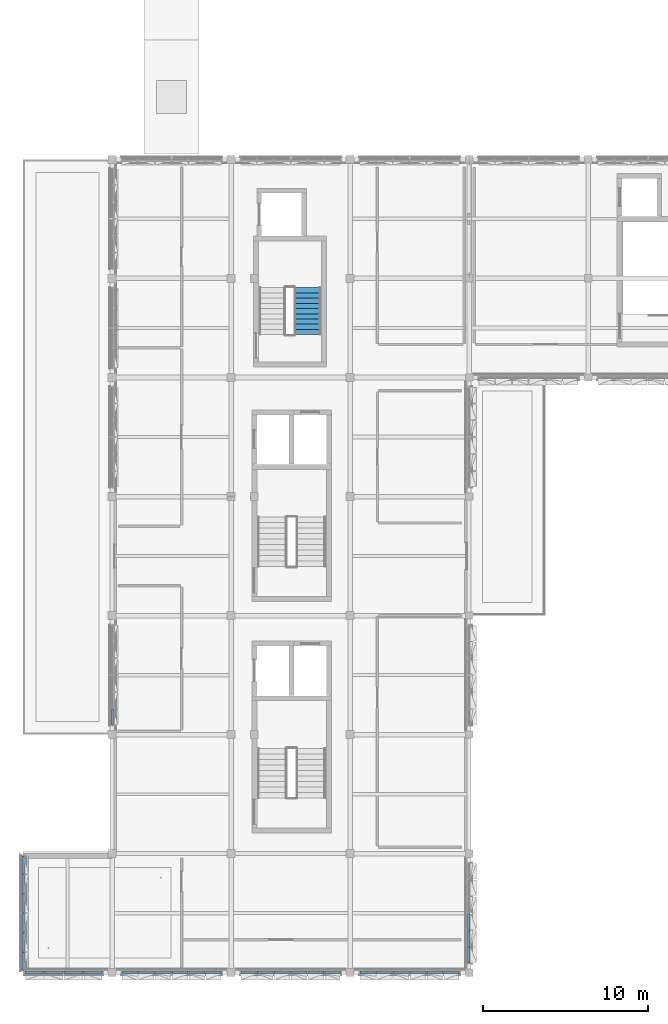
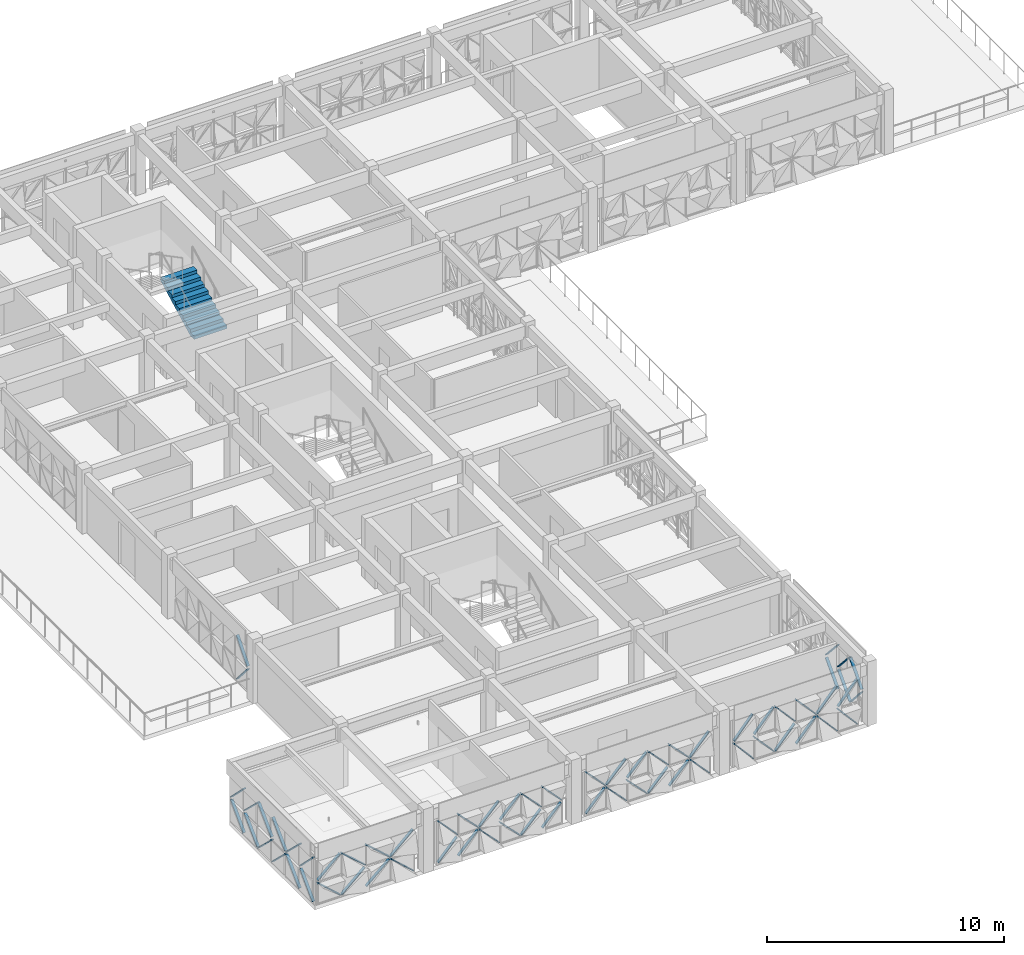
# One storey, part 21 of 35: 64 discrete accessories, 1 stair flight, 1 element without a shape of its own.
"""IFC4 building model written with IfcOpenShell, lengths in metres."""

from ifc_helpers import new_model, si_unit, direction, frame, origin, origin_2d, place, context, subcontext, project, spatial, polyline, rectangle, outline, extrude, material, type_object, element, aggregate, save


model = new_model("IFC4")

# Units and contexts
model_context = context("Model", 3, precision=1e-05, world=origin(), true_north=direction((0.0, 1.0)))
body_context = subcontext(model_context, "Body", "Model", "MODEL_VIEW")
ifc_project = project(units=[si_unit("LENGTHUNIT", "METRE"), si_unit("AREAUNIT", "SQUARE_METRE"), si_unit("VOLUMEUNIT", "CUBIC_METRE"), si_unit("PLANEANGLEUNIT", "RADIAN"), si_unit("MASSUNIT", "GRAM", prefix="KILO")], contexts=[model_context])

# Site, building, storey
site_placement = place(None, origin())
site = spatial("IfcSite", under=ifc_project, at=site_placement, CompositionType="ELEMENT")
building_placement = place(site_placement, origin())
building = spatial("IfcBuilding", under=site, at=building_placement, Name="Alvorim Cloister Faculty of Sciences", CompositionType="ELEMENT")
storey_placement = place(building_placement, frame((0.0, 0.0, 22.949951171875)))
storey = spatial("IfcBuildingStorey", under=building, at=storey_placement, Name="L06", CompositionType="ELEMENT", Elevation=22.949951171875)

# Stair, stair flight
ifc_material_1 = material(Name="Concrete C40", Category="concrete")
stair_type = type_object("IfcStairType", Name="STR-ST-03-1600x3300", PredefinedType="HALF_TURN_STAIR", material=ifc_material_1)
stair_placement = place(storey_placement, origin())
stair = element("IfcStair", 1, at=stair_placement, inside=storey, type_object=stair_type, Name="L06 Enclosed Smoke-Proof Stair ST-03", PredefinedType="HALF_TURN_STAIR")
stair_flight_type = type_object("IfcStairFlightType", Name="FLT-ST-03-1600x1650", PredefinedType="STRAIGHT", material=ifc_material_1)
stair_flight_placement = place(storey_placement, frame((19.02001953125, 45.800048828125, 0.0), z_axis=(0.0, 0.0, 1.0), x_axis=(0.0, 1.0, 0.0)))
stair_flight = element("IfcStairFlight", 2, at=stair_flight_placement, type_object=stair_flight_type, Name="ST-03 flight 1", NumberOfRisers=10, NumberOfTreads=9, PredefinedType="STRAIGHT", RiserHeight=0.165, TreadLength=0.315, context=body_context, shape_type="SweptSolid", body=[
    extrude(outline(polyline([(0.3447265625, 0.0), (2.8349609375, 1.304443359375), (2.8349609375, 1.64990234375), (2.8349609375, 1.485107421875), (2.52001953125, 1.485107421875), (2.52001953125, 1.320068359375), (2.205078125, 1.320068359375), (2.205078125, 1.155029296875), (1.889892578125, 1.155029296875), (1.889892578125, 0.989990234375), (1.574951171875, 0.989990234375), (1.574951171875, 0.824951171875), (1.260009765625, 0.824951171875), (1.260009765625, 0.659912109375), (0.945068359375, 0.659912109375), (0.945068359375, 0.4951171875), (0.6298828125, 0.4951171875), (0.6298828125, 0.330078125), (0.31494140625, 0.330078125), (0.31494140625, 0.1650390625), (0.0, 0.1650390625), (0.0, 0.0), (0.3447265625, 0.0)])), frame((0.0, 0.800048828125, 0.0), z_axis=(0.0, -1.0, 0.0), x_axis=(1.0, 0.0, 0.0)), (0.0, 0.0, 1.0), 1.60009765625),
])
aggregate(stair, [stair_flight])

# Discrete accessories
ifc_material_2 = material(Name="Aluminium Alloy 6063-T6", Category="aluminium")
discrete_accessory_type = type_object("IfcDiscreteAccessoryType", Name="ACC-DIAG-BAR", PredefinedType="BRACKET", material=ifc_material_2)
for number, where, z_axis, x_axis, name in (
    (3, (1.822509765625, 7.344970703125, 0.14013671875), (0.006601517869, 0.709582664606, 0.704591273046), (-0.99995672636, 0.009302978394, 0.0), "Diagonal Cassette Glazing Bracket ACC-02618"),
    (4, (1.822509765625, 7.344970703125, 2.4169921875), (0.006601517869, 0.709582664606, -0.704591273046), (-0.99995672636, 0.009302978394, 0.0), "Diagonal Cassette Glazing Bracket ACC-02619"),
):
    element("IfcDiscreteAccessory", number, at=place(storey_placement, frame(where, z_axis=z_axis, x_axis=x_axis)), inside=storey, type_object=discrete_accessory_type, Name=name, PredefinedType="BRACKET", context=body_context, shape_type="SweptSolid", body=[
        extrude(rectangle(XDim=0.139892578125, YDim=0.044921875, at=origin_2d()), origin(), (0.0, 0.0, 1.0), 1.516357421875),
    ])
for number, where, z_axis, x_axis, name in (
    (5, (1.822509765625, 8.48583984375, 0.14013671875), (0.00650198792, 0.719976223307, 0.693968271628), (-0.999959224486, 0.009030468767, 0.0), "Diagonal Cassette Glazing Bracket ACC-02620"),
    (6, (1.822509765625, 8.48583984375, 2.4169921875), (0.00650198792, 0.719976223307, -0.693968271628), (-0.999959224486, 0.009030468767, 0.0), "Diagonal Cassette Glazing Bracket ACC-02621"),
    (7, (1.822509765625, 9.6591796875, 1.20849609375), (0.00650198792, 0.719976223307, -0.693968271628), (-0.999959224486, 0.009030468767, 0.0), "Diagonal Cassette Glazing Bracket ACC-02622"),
    (8, (1.822509765625, 9.6591796875, 1.3486328125), (0.00650198792, 0.719976223307, 0.693968271628), (-0.999959224486, 0.009030468767, 0.0), "Diagonal Cassette Glazing Bracket ACC-02623"),
    (9, (1.822509765625, 10.83251953125, 1.20849609375), (0.00650198792, 0.719976223307, -0.693968271628), (-0.999959224486, 0.009030468767, 0.0), "Diagonal Cassette Glazing Bracket ACC-02624"),
    (10, (1.822509765625, 10.83251953125, 1.3486328125), (0.00650198792, 0.719976223307, 0.693968271628), (-0.999959224486, 0.009030468767, 0.0), "Diagonal Cassette Glazing Bracket ACC-02625"),
    (11, (1.822509765625, 12.005859375, 0.14013671875), (0.00650198792, 0.719976223307, 0.693968271628), (-0.999959224486, 0.009030468767, 0.0), "Diagonal Cassette Glazing Bracket ACC-02626"),
    (12, (1.822509765625, 12.005859375, 2.4169921875), (0.00650198792, 0.719976223307, -0.693968271628), (-0.999959224486, 0.009030468767, 0.0), "Diagonal Cassette Glazing Bracket ACC-02627"),
):
    element("IfcDiscreteAccessory", number, at=place(storey_placement, frame(where, z_axis=z_axis, x_axis=x_axis)), inside=storey, type_object=discrete_accessory_type, Name=name, PredefinedType="BRACKET", context=body_context, shape_type="SweptSolid", body=[
        extrude(rectangle(XDim=0.139892578125, YDim=0.044921875, at=origin_2d()), origin(), (0.0, 0.0, 1.0), 1.53955078125),
    ])
for number, where, z_axis, x_axis, name in (
    (13, (1.822509765625, 13.17919921875, 0.14013671875), (0.006602272148, 0.70950270935, 0.70467177851), (-0.999956706716, 0.009305089645, 0.0), "Diagonal Cassette Glazing Bracket ACC-02628"),
    (14, (1.822509765625, 13.17919921875, 2.4169921875), (0.006602272148, 0.70950270935, -0.70467177851), (-0.999956706716, 0.009305089645, 0.0), "Diagonal Cassette Glazing Bracket ACC-02629"),
):
    element("IfcDiscreteAccessory", number, at=place(storey_placement, frame(where, z_axis=z_axis, x_axis=x_axis)), inside=storey, type_object=discrete_accessory_type, Name=name, PredefinedType="BRACKET", context=body_context, shape_type="SweptSolid", body=[
        extrude(rectangle(XDim=0.139892578125, YDim=0.044921875, at=origin_2d()), origin(), (0.0, 0.0, 1.0), 1.51611328125),
    ])
discrete_accessory_1_placement = place(storey_placement, frame((7.222412109375, 22.205078125, 1.205078125), z_axis=(0.007104747368, 0.654676476964, -0.755875805325), x_axis=(-0.999941118963, 0.010851663811, 0.0)))
element("IfcDiscreteAccessory", 15, at=discrete_accessory_1_placement, inside=storey, type_object=discrete_accessory_type, Name="Diagonal Cassette Glazing Bracket ACC-02631", PredefinedType="BRACKET", context=body_context, shape_type="SweptSolid", body=[
    extrude(rectangle(XDim=0.139892578125, YDim=0.044921875, at=origin_2d()), origin(), (0.0, 0.0, 1.0), 1.408935546875),
])
discrete_accessory_2_placement = place(storey_placement, frame((7.222412109375, 22.205078125, 1.344970703125), z_axis=(0.007103816842, 0.654590732436, 0.755950070306), x_axis=(-0.999941118963, 0.010851663811, 0.0)))
element("IfcDiscreteAccessory", 16, at=discrete_accessory_2_placement, inside=storey, type_object=discrete_accessory_type, Name="Diagonal Cassette Glazing Bracket ACC-02632", PredefinedType="BRACKET", context=body_context, shape_type="SweptSolid", body=[
    extrude(rectangle(XDim=0.139892578125, YDim=0.044921875, at=origin_2d()), origin(), (0.0, 0.0, 1.0), 1.4091796875),
])
discrete_accessory_3_placement = place(storey_placement, frame((28.777587890625, 7.804931640625, 1.205078125), z_axis=(-0.007103941389, 0.654775475811, -0.755790057022), x_axis=(-0.999941150118, -0.010848792579, 0.0)))
element("IfcDiscreteAccessory", 17, at=discrete_accessory_3_placement, inside=storey, type_object=discrete_accessory_type, Name="Diagonal Cassette Glazing Bracket ACC-02835", PredefinedType="BRACKET", context=body_context, shape_type="SweptSolid", body=[
    extrude(rectangle(XDim=0.139892578125, YDim=0.044921875, at=origin_2d()), origin(), (0.0, 0.0, 1.0), 1.408935546875),
])
discrete_accessory_4_placement = place(storey_placement, frame((28.777587890625, 7.804931640625, 1.344970703125), z_axis=(-0.00710301118, 0.654689737769, 0.755864336037), x_axis=(-0.999941150118, -0.010848792579, 0.0)))
element("IfcDiscreteAccessory", 18, at=discrete_accessory_4_placement, inside=storey, type_object=discrete_accessory_type, Name="Diagonal Cassette Glazing Bracket ACC-02836", PredefinedType="BRACKET", context=body_context, shape_type="SweptSolid", body=[
    extrude(rectangle(XDim=0.139892578125, YDim=0.044921875, at=origin_2d()), origin(), (0.0, 0.0, 1.0), 1.4091796875),
])
discrete_accessory_5_placement = place(storey_placement, frame((28.777587890625, 8.79248046875, 0.14013671875), z_axis=(-0.006997313603, 0.66764611748, 0.744445900933), x_axis=(-0.999945083323, -0.010479997039, 0.0)))
element("IfcDiscreteAccessory", 19, at=discrete_accessory_5_placement, inside=storey, type_object=discrete_accessory_type, Name="Diagonal Cassette Glazing Bracket ACC-02837", PredefinedType="BRACKET", context=body_context, shape_type="SweptSolid", body=[
    extrude(rectangle(XDim=0.139892578125, YDim=0.044921875, at=origin_2d()), origin(), (0.0, 0.0, 1.0), 1.430419921875),
])
discrete_accessory_6_placement = place(storey_placement, frame((28.777587890625, 8.79248046875, 2.41015625), z_axis=(-0.00699642465, 0.667561298321, -0.744521969472), x_axis=(-0.999945083323, -0.010479997039, 0.0)))
element("IfcDiscreteAccessory", 20, at=discrete_accessory_6_placement, inside=storey, type_object=discrete_accessory_type, Name="Diagonal Cassette Glazing Bracket ACC-02838", PredefinedType="BRACKET", context=body_context, shape_type="SweptSolid", body=[
    extrude(rectangle(XDim=0.139892578125, YDim=0.044921875, at=origin_2d()), origin(), (0.0, 0.0, 1.0), 1.4306640625),
])
discrete_accessory_7_placement = place(storey_placement, frame((28.777587890625, 9.8125, 0.14013671875), z_axis=(-0.006997313603, 0.66764611748, 0.744445900933), x_axis=(-0.999945083323, -0.010479997039, 0.0)))
element("IfcDiscreteAccessory", 21, at=discrete_accessory_7_placement, inside=storey, type_object=discrete_accessory_type, Name="Diagonal Cassette Glazing Bracket ACC-02839", PredefinedType="BRACKET", context=body_context, shape_type="SweptSolid", body=[
    extrude(rectangle(XDim=0.139892578125, YDim=0.044921875, at=origin_2d()), origin(), (0.0, 0.0, 1.0), 1.430419921875),
])
discrete_accessory_8_placement = place(storey_placement, frame((28.777587890625, 9.8125, 2.41015625), z_axis=(-0.00699642465, 0.667561298321, -0.744521969472), x_axis=(-0.999945083323, -0.010479997039, 0.0)))
element("IfcDiscreteAccessory", 22, at=discrete_accessory_8_placement, inside=storey, type_object=discrete_accessory_type, Name="Diagonal Cassette Glazing Bracket ACC-02840", PredefinedType="BRACKET", context=body_context, shape_type="SweptSolid", body=[
    extrude(rectangle(XDim=0.139892578125, YDim=0.044921875, at=origin_2d()), origin(), (0.0, 0.0, 1.0), 1.4306640625),
])
discrete_accessory_9_placement = place(storey_placement, frame((22.205078125, 7.222412109375, 1.205078125), z_axis=(0.654676476964, 0.007104747368, -0.755875805325), x_axis=(-0.010851663811, 0.999941118963, 0.0)))
element("IfcDiscreteAccessory", 23, at=discrete_accessory_9_placement, inside=storey, type_object=discrete_accessory_type, Name="Diagonal Cassette Glazing Bracket ACC-02848", PredefinedType="BRACKET", context=body_context, shape_type="SweptSolid", body=[
    extrude(rectangle(XDim=0.139892578125, YDim=0.044921875, at=origin_2d()), origin(), (0.0, 0.0, 1.0), 1.408935546875),
])
discrete_accessory_10_placement = place(storey_placement, frame((22.205078125, 7.222412109375, 1.344970703125), z_axis=(0.654590732436, 0.007103816842, 0.755950070306), x_axis=(-0.010851663811, 0.999941118963, 0.0)))
element("IfcDiscreteAccessory", 24, at=discrete_accessory_10_placement, inside=storey, type_object=discrete_accessory_type, Name="Diagonal Cassette Glazing Bracket ACC-02849", PredefinedType="BRACKET", context=body_context, shape_type="SweptSolid", body=[
    extrude(rectangle(XDim=0.139892578125, YDim=0.044921875, at=origin_2d()), origin(), (0.0, 0.0, 1.0), 1.4091796875),
])
discrete_accessory_11_placement = place(storey_placement, frame((23.1923828125, 7.222412109375, 1.205078125), z_axis=(0.66764611748, 0.006997313603, -0.744445900933), x_axis=(-0.010479997039, 0.999945083323, 0.0)))
element("IfcDiscreteAccessory", 25, at=discrete_accessory_11_placement, inside=storey, type_object=discrete_accessory_type, Name="Diagonal Cassette Glazing Bracket ACC-02850", PredefinedType="BRACKET", context=body_context, shape_type="SweptSolid", body=[
    extrude(rectangle(XDim=0.139892578125, YDim=0.044921875, at=origin_2d()), origin(), (0.0, 0.0, 1.0), 1.430419921875),
])
discrete_accessory_12_placement = place(storey_placement, frame((23.1923828125, 7.222412109375, 1.344970703125), z_axis=(0.667561298321, 0.00699642465, 0.744521969472), x_axis=(-0.010479997039, 0.999945083323, 0.0)))
element("IfcDiscreteAccessory", 26, at=discrete_accessory_12_placement, inside=storey, type_object=discrete_accessory_type, Name="Diagonal Cassette Glazing Bracket ACC-02851", PredefinedType="BRACKET", context=body_context, shape_type="SweptSolid", body=[
    extrude(rectangle(XDim=0.139892578125, YDim=0.044921875, at=origin_2d()), origin(), (0.0, 0.0, 1.0), 1.4306640625),
])
discrete_accessory_13_placement = place(storey_placement, frame((24.21240234375, 7.222412109375, 0.14013671875), z_axis=(0.66764611748, 0.006997313603, 0.744445900933), x_axis=(-0.010479997039, 0.999945083323, 0.0)))
element("IfcDiscreteAccessory", 27, at=discrete_accessory_13_placement, inside=storey, type_object=discrete_accessory_type, Name="Diagonal Cassette Glazing Bracket ACC-02852", PredefinedType="BRACKET", context=body_context, shape_type="SweptSolid", body=[
    extrude(rectangle(XDim=0.139892578125, YDim=0.044921875, at=origin_2d()), origin(), (0.0, 0.0, 1.0), 1.430419921875),
])
discrete_accessory_14_placement = place(storey_placement, frame((24.21240234375, 7.222412109375, 2.41015625), z_axis=(0.667561298321, 0.00699642465, -0.744521969472), x_axis=(-0.010479997039, 0.999945083323, 0.0)))
element("IfcDiscreteAccessory", 28, at=discrete_accessory_14_placement, inside=storey, type_object=discrete_accessory_type, Name="Diagonal Cassette Glazing Bracket ACC-02853", PredefinedType="BRACKET", context=body_context, shape_type="SweptSolid", body=[
    extrude(rectangle(XDim=0.139892578125, YDim=0.044921875, at=origin_2d()), origin(), (0.0, 0.0, 1.0), 1.4306640625),
])
discrete_accessory_15_placement = place(storey_placement, frame((25.232421875, 7.222412109375, 0.14013671875), z_axis=(0.66764611748, 0.006997313603, 0.744445900933), x_axis=(-0.010479997039, 0.999945083323, 0.0)))
element("IfcDiscreteAccessory", 29, at=discrete_accessory_15_placement, inside=storey, type_object=discrete_accessory_type, Name="Diagonal Cassette Glazing Bracket ACC-02854", PredefinedType="BRACKET", context=body_context, shape_type="SweptSolid", body=[
    extrude(rectangle(XDim=0.139892578125, YDim=0.044921875, at=origin_2d()), origin(), (0.0, 0.0, 1.0), 1.430419921875),
])
discrete_accessory_16_placement = place(storey_placement, frame((25.232421875, 7.222412109375, 2.41015625), z_axis=(0.667561298321, 0.00699642465, -0.744521969472), x_axis=(-0.010479997039, 0.999945083323, 0.0)))
element("IfcDiscreteAccessory", 30, at=discrete_accessory_16_placement, inside=storey, type_object=discrete_accessory_type, Name="Diagonal Cassette Glazing Bracket ACC-02855", PredefinedType="BRACKET", context=body_context, shape_type="SweptSolid", body=[
    extrude(rectangle(XDim=0.139892578125, YDim=0.044921875, at=origin_2d()), origin(), (0.0, 0.0, 1.0), 1.4306640625),
])
discrete_accessory_17_placement = place(storey_placement, frame((26.25244140625, 7.222412109375, 1.205078125), z_axis=(0.66764611748, 0.006997313603, -0.744445900933), x_axis=(-0.010479997039, 0.999945083323, 0.0)))
element("IfcDiscreteAccessory", 31, at=discrete_accessory_17_placement, inside=storey, type_object=discrete_accessory_type, Name="Diagonal Cassette Glazing Bracket ACC-02856", PredefinedType="BRACKET", context=body_context, shape_type="SweptSolid", body=[
    extrude(rectangle(XDim=0.139892578125, YDim=0.044921875, at=origin_2d()), origin(), (0.0, 0.0, 1.0), 1.430419921875),
])
discrete_accessory_18_placement = place(storey_placement, frame((26.25244140625, 7.222412109375, 1.344970703125), z_axis=(0.667561298321, 0.00699642465, 0.744521969472), x_axis=(-0.010479997039, 0.999945083323, 0.0)))
element("IfcDiscreteAccessory", 32, at=discrete_accessory_18_placement, inside=storey, type_object=discrete_accessory_type, Name="Diagonal Cassette Glazing Bracket ACC-02857", PredefinedType="BRACKET", context=body_context, shape_type="SweptSolid", body=[
    extrude(rectangle(XDim=0.139892578125, YDim=0.044921875, at=origin_2d()), origin(), (0.0, 0.0, 1.0), 1.4306640625),
])
discrete_accessory_19_placement = place(storey_placement, frame((27.2724609375, 7.222412109375, 1.205078125), z_axis=(0.654775475811, 0.007103941389, -0.755790057022), x_axis=(-0.010848792579, 0.999941150118, 0.0)))
element("IfcDiscreteAccessory", 33, at=discrete_accessory_19_placement, inside=storey, type_object=discrete_accessory_type, Name="Diagonal Cassette Glazing Bracket ACC-02858", PredefinedType="BRACKET", context=body_context, shape_type="SweptSolid", body=[
    extrude(rectangle(XDim=0.139892578125, YDim=0.044921875, at=origin_2d()), origin(), (0.0, 0.0, 1.0), 1.408935546875),
])
discrete_accessory_20_placement = place(storey_placement, frame((27.2724609375, 7.222412109375, 1.344970703125), z_axis=(0.654689737769, 0.00710301118, 0.755864336037), x_axis=(-0.010848792579, 0.999941150118, 0.0)))
element("IfcDiscreteAccessory", 34, at=discrete_accessory_20_placement, inside=storey, type_object=discrete_accessory_type, Name="Diagonal Cassette Glazing Bracket ACC-02859", PredefinedType="BRACKET", context=body_context, shape_type="SweptSolid", body=[
    extrude(rectangle(XDim=0.139892578125, YDim=0.044921875, at=origin_2d()), origin(), (0.0, 0.0, 1.0), 1.4091796875),
])
discrete_accessory_21_placement = place(storey_placement, frame((15.0048828125, 7.222412109375, 0.14013671875), z_axis=(0.680674312354, 0.007384929031, 0.732548935788), x_axis=(-0.010848792579, 0.999941150118, 0.0)))
element("IfcDiscreteAccessory", 35, at=discrete_accessory_21_placement, inside=storey, type_object=discrete_accessory_type, Name="Diagonal Cassette Glazing Bracket ACC-02861", PredefinedType="BRACKET", context=body_context, shape_type="SweptSolid", body=[
    extrude(rectangle(XDim=0.139892578125, YDim=0.044921875, at=origin_2d()), origin(), (0.0, 0.0, 1.0), 1.35546875),
])
discrete_accessory_22_placement = place(storey_placement, frame((15.0048828125, 7.222412109375, 2.26611328125), z_axis=(0.68058450624, 0.007383954685, -0.732632381949), x_axis=(-0.010848792579, 0.999941150118, 0.0)))
element("IfcDiscreteAccessory", 36, at=discrete_accessory_22_placement, inside=storey, type_object=discrete_accessory_type, Name="Diagonal Cassette Glazing Bracket ACC-02862", PredefinedType="BRACKET", context=body_context, shape_type="SweptSolid", body=[
    extrude(rectangle(XDim=0.139892578125, YDim=0.044921875, at=origin_2d()), origin(), (0.0, 0.0, 1.0), 1.355712890625),
])
discrete_accessory_23_placement = place(storey_placement, frame((15.992431640625, 7.222412109375, 1.133056640625), z_axis=(0.693221441594, 0.007265357645, -0.720688037567), x_axis=(-0.010479997039, 0.999945083323, 0.0)))
element("IfcDiscreteAccessory", 37, at=discrete_accessory_23_placement, inside=storey, type_object=discrete_accessory_type, Name="Diagonal Cassette Glazing Bracket ACC-02863", PredefinedType="BRACKET", context=body_context, shape_type="SweptSolid", body=[
    extrude(rectangle(XDim=0.139892578125, YDim=0.044921875, at=origin_2d()), origin(), (0.0, 0.0, 1.0), 1.377685546875),
])
discrete_accessory_24_placement = place(storey_placement, frame((15.992431640625, 7.222412109375, 1.27294921875), z_axis=(0.693132917267, 0.007264429859, 0.720773186974), x_axis=(-0.010479997039, 0.999945083323, 0.0)))
element("IfcDiscreteAccessory", 38, at=discrete_accessory_24_placement, inside=storey, type_object=discrete_accessory_type, Name="Diagonal Cassette Glazing Bracket ACC-02864", PredefinedType="BRACKET", context=body_context, shape_type="SweptSolid", body=[
    extrude(rectangle(XDim=0.139892578125, YDim=0.044921875, at=origin_2d()), origin(), (0.0, 0.0, 1.0), 1.3779296875),
])
discrete_accessory_25_placement = place(storey_placement, frame((17.012451171875, 7.222412109375, 1.133056640625), z_axis=(0.693221441594, 0.007265357645, -0.720688037567), x_axis=(-0.010479997039, 0.999945083323, 0.0)))
element("IfcDiscreteAccessory", 39, at=discrete_accessory_25_placement, inside=storey, type_object=discrete_accessory_type, Name="Diagonal Cassette Glazing Bracket ACC-02865", PredefinedType="BRACKET", context=body_context, shape_type="SweptSolid", body=[
    extrude(rectangle(XDim=0.139892578125, YDim=0.044921875, at=origin_2d()), origin(), (0.0, 0.0, 1.0), 1.377685546875),
])
discrete_accessory_26_placement = place(storey_placement, frame((17.012451171875, 7.222412109375, 1.27294921875), z_axis=(0.693132917267, 0.007264429859, 0.720773186974), x_axis=(-0.010479997039, 0.999945083323, 0.0)))
element("IfcDiscreteAccessory", 40, at=discrete_accessory_26_placement, inside=storey, type_object=discrete_accessory_type, Name="Diagonal Cassette Glazing Bracket ACC-02866", PredefinedType="BRACKET", context=body_context, shape_type="SweptSolid", body=[
    extrude(rectangle(XDim=0.139892578125, YDim=0.044921875, at=origin_2d()), origin(), (0.0, 0.0, 1.0), 1.3779296875),
])
discrete_accessory_27_placement = place(storey_placement, frame((18.032470703125, 7.222412109375, 0.14013671875), z_axis=(0.693221441594, 0.007265357645, 0.720688037567), x_axis=(-0.010479997039, 0.999945083323, 0.0)))
element("IfcDiscreteAccessory", 41, at=discrete_accessory_27_placement, inside=storey, type_object=discrete_accessory_type, Name="Diagonal Cassette Glazing Bracket ACC-02867", PredefinedType="BRACKET", context=body_context, shape_type="SweptSolid", body=[
    extrude(rectangle(XDim=0.139892578125, YDim=0.044921875, at=origin_2d()), origin(), (0.0, 0.0, 1.0), 1.377685546875),
])
discrete_accessory_28_placement = place(storey_placement, frame((18.032470703125, 7.222412109375, 2.26611328125), z_axis=(0.693132917267, 0.007264429859, -0.720773186974), x_axis=(-0.010479997039, 0.999945083323, 0.0)))
element("IfcDiscreteAccessory", 42, at=discrete_accessory_28_placement, inside=storey, type_object=discrete_accessory_type, Name="Diagonal Cassette Glazing Bracket ACC-02868", PredefinedType="BRACKET", context=body_context, shape_type="SweptSolid", body=[
    extrude(rectangle(XDim=0.139892578125, YDim=0.044921875, at=origin_2d()), origin(), (0.0, 0.0, 1.0), 1.3779296875),
])
discrete_accessory_29_placement = place(storey_placement, frame((19.052490234375, 7.222412109375, 0.14013671875), z_axis=(0.693221441594, 0.007265357645, 0.720688037567), x_axis=(-0.010479997039, 0.999945083323, 0.0)))
element("IfcDiscreteAccessory", 43, at=discrete_accessory_29_placement, inside=storey, type_object=discrete_accessory_type, Name="Diagonal Cassette Glazing Bracket ACC-02869", PredefinedType="BRACKET", context=body_context, shape_type="SweptSolid", body=[
    extrude(rectangle(XDim=0.139892578125, YDim=0.044921875, at=origin_2d()), origin(), (0.0, 0.0, 1.0), 1.377685546875),
])
discrete_accessory_30_placement = place(storey_placement, frame((19.052490234375, 7.222412109375, 2.26611328125), z_axis=(0.693132917267, 0.007264429859, -0.720773186974), x_axis=(-0.010479997039, 0.999945083323, 0.0)))
element("IfcDiscreteAccessory", 44, at=discrete_accessory_30_placement, inside=storey, type_object=discrete_accessory_type, Name="Diagonal Cassette Glazing Bracket ACC-02870", PredefinedType="BRACKET", context=body_context, shape_type="SweptSolid", body=[
    extrude(rectangle(XDim=0.139892578125, YDim=0.044921875, at=origin_2d()), origin(), (0.0, 0.0, 1.0), 1.3779296875),
])
discrete_accessory_31_placement = place(storey_placement, frame((20.072509765625, 7.222412109375, 1.133056640625), z_axis=(0.680674312354, 0.007384929031, -0.732548935788), x_axis=(-0.010848792579, 0.999941150118, 0.0)))
element("IfcDiscreteAccessory", 45, at=discrete_accessory_31_placement, inside=storey, type_object=discrete_accessory_type, Name="Diagonal Cassette Glazing Bracket ACC-02871", PredefinedType="BRACKET", context=body_context, shape_type="SweptSolid", body=[
    extrude(rectangle(XDim=0.139892578125, YDim=0.044921875, at=origin_2d()), origin(), (0.0, 0.0, 1.0), 1.35546875),
])
discrete_accessory_32_placement = place(storey_placement, frame((20.072509765625, 7.222412109375, 1.27294921875), z_axis=(0.68058450624, 0.007383954685, 0.732632381949), x_axis=(-0.010848792579, 0.999941150118, 0.0)))
element("IfcDiscreteAccessory", 46, at=discrete_accessory_32_placement, inside=storey, type_object=discrete_accessory_type, Name="Diagonal Cassette Glazing Bracket ACC-02872", PredefinedType="BRACKET", context=body_context, shape_type="SweptSolid", body=[
    extrude(rectangle(XDim=0.139892578125, YDim=0.044921875, at=origin_2d()), origin(), (0.0, 0.0, 1.0), 1.355712890625),
])
discrete_accessory_33_placement = place(storey_placement, frame((7.804931640625, 7.222412109375, 0.14013671875), z_axis=(0.680674312354, 0.007384929031, 0.732548935788), x_axis=(-0.010848792579, 0.999941150118, 0.0)))
element("IfcDiscreteAccessory", 47, at=discrete_accessory_33_placement, inside=storey, type_object=discrete_accessory_type, Name="Diagonal Cassette Glazing Bracket ACC-02874", PredefinedType="BRACKET", context=body_context, shape_type="SweptSolid", body=[
    extrude(rectangle(XDim=0.139892578125, YDim=0.044921875, at=origin_2d()), origin(), (0.0, 0.0, 1.0), 1.35546875),
])
discrete_accessory_34_placement = place(storey_placement, frame((7.804931640625, 7.222412109375, 2.26611328125), z_axis=(0.68058450624, 0.007383954685, -0.732632381949), x_axis=(-0.010848792579, 0.999941150118, 0.0)))
element("IfcDiscreteAccessory", 48, at=discrete_accessory_34_placement, inside=storey, type_object=discrete_accessory_type, Name="Diagonal Cassette Glazing Bracket ACC-02875", PredefinedType="BRACKET", context=body_context, shape_type="SweptSolid", body=[
    extrude(rectangle(XDim=0.139892578125, YDim=0.044921875, at=origin_2d()), origin(), (0.0, 0.0, 1.0), 1.355712890625),
])
discrete_accessory_35_placement = place(storey_placement, frame((8.79248046875, 7.222412109375, 0.14013671875), z_axis=(0.693221441594, 0.007265357645, 0.720688037567), x_axis=(-0.010479997039, 0.999945083323, 0.0)))
element("IfcDiscreteAccessory", 49, at=discrete_accessory_35_placement, inside=storey, type_object=discrete_accessory_type, Name="Diagonal Cassette Glazing Bracket ACC-02876", PredefinedType="BRACKET", context=body_context, shape_type="SweptSolid", body=[
    extrude(rectangle(XDim=0.139892578125, YDim=0.044921875, at=origin_2d()), origin(), (0.0, 0.0, 1.0), 1.377685546875),
])
discrete_accessory_36_placement = place(storey_placement, frame((8.79248046875, 7.222412109375, 2.26611328125), z_axis=(0.693132917267, 0.007264429859, -0.720773186974), x_axis=(-0.010479997039, 0.999945083323, 0.0)))
element("IfcDiscreteAccessory", 50, at=discrete_accessory_36_placement, inside=storey, type_object=discrete_accessory_type, Name="Diagonal Cassette Glazing Bracket ACC-02877", PredefinedType="BRACKET", context=body_context, shape_type="SweptSolid", body=[
    extrude(rectangle(XDim=0.139892578125, YDim=0.044921875, at=origin_2d()), origin(), (0.0, 0.0, 1.0), 1.3779296875),
])
discrete_accessory_37_placement = place(storey_placement, frame((9.8125, 7.222412109375, 1.133056640625), z_axis=(0.693221441594, 0.007265357645, -0.720688037567), x_axis=(-0.010479997039, 0.999945083323, 0.0)))
element("IfcDiscreteAccessory", 51, at=discrete_accessory_37_placement, inside=storey, type_object=discrete_accessory_type, Name="Diagonal Cassette Glazing Bracket ACC-02878", PredefinedType="BRACKET", context=body_context, shape_type="SweptSolid", body=[
    extrude(rectangle(XDim=0.139892578125, YDim=0.044921875, at=origin_2d()), origin(), (0.0, 0.0, 1.0), 1.377685546875),
])
discrete_accessory_38_placement = place(storey_placement, frame((9.8125, 7.222412109375, 1.27294921875), z_axis=(0.693132917267, 0.007264429859, 0.720773186974), x_axis=(-0.010479997039, 0.999945083323, 0.0)))
element("IfcDiscreteAccessory", 52, at=discrete_accessory_38_placement, inside=storey, type_object=discrete_accessory_type, Name="Diagonal Cassette Glazing Bracket ACC-02879", PredefinedType="BRACKET", context=body_context, shape_type="SweptSolid", body=[
    extrude(rectangle(XDim=0.139892578125, YDim=0.044921875, at=origin_2d()), origin(), (0.0, 0.0, 1.0), 1.3779296875),
])
discrete_accessory_39_placement = place(storey_placement, frame((10.83251953125, 7.222412109375, 1.133056640625), z_axis=(0.693221441594, 0.007265357645, -0.720688037567), x_axis=(-0.010479997039, 0.999945083323, 0.0)))
element("IfcDiscreteAccessory", 53, at=discrete_accessory_39_placement, inside=storey, type_object=discrete_accessory_type, Name="Diagonal Cassette Glazing Bracket ACC-02880", PredefinedType="BRACKET", context=body_context, shape_type="SweptSolid", body=[
    extrude(rectangle(XDim=0.139892578125, YDim=0.044921875, at=origin_2d()), origin(), (0.0, 0.0, 1.0), 1.377685546875),
])
discrete_accessory_40_placement = place(storey_placement, frame((10.83251953125, 7.222412109375, 1.27294921875), z_axis=(0.693132917267, 0.007264429859, 0.720773186974), x_axis=(-0.010479997039, 0.999945083323, 0.0)))
element("IfcDiscreteAccessory", 54, at=discrete_accessory_40_placement, inside=storey, type_object=discrete_accessory_type, Name="Diagonal Cassette Glazing Bracket ACC-02881", PredefinedType="BRACKET", context=body_context, shape_type="SweptSolid", body=[
    extrude(rectangle(XDim=0.139892578125, YDim=0.044921875, at=origin_2d()), origin(), (0.0, 0.0, 1.0), 1.3779296875),
])
discrete_accessory_41_placement = place(storey_placement, frame((11.8525390625, 7.222412109375, 0.14013671875), z_axis=(0.693221441594, 0.007265357645, 0.720688037567), x_axis=(-0.010479997039, 0.999945083323, 0.0)))
element("IfcDiscreteAccessory", 55, at=discrete_accessory_41_placement, inside=storey, type_object=discrete_accessory_type, Name="Diagonal Cassette Glazing Bracket ACC-02882", PredefinedType="BRACKET", context=body_context, shape_type="SweptSolid", body=[
    extrude(rectangle(XDim=0.139892578125, YDim=0.044921875, at=origin_2d()), origin(), (0.0, 0.0, 1.0), 1.377685546875),
])
discrete_accessory_42_placement = place(storey_placement, frame((11.8525390625, 7.222412109375, 2.26611328125), z_axis=(0.693132917267, 0.007264429859, -0.720773186974), x_axis=(-0.010479997039, 0.999945083323, 0.0)))
element("IfcDiscreteAccessory", 56, at=discrete_accessory_42_placement, inside=storey, type_object=discrete_accessory_type, Name="Diagonal Cassette Glazing Bracket ACC-02883", PredefinedType="BRACKET", context=body_context, shape_type="SweptSolid", body=[
    extrude(rectangle(XDim=0.139892578125, YDim=0.044921875, at=origin_2d()), origin(), (0.0, 0.0, 1.0), 1.3779296875),
])
discrete_accessory_43_placement = place(storey_placement, frame((12.87255859375, 7.222412109375, 0.14013671875), z_axis=(0.680577627208, 0.007385834493, 0.73263875327), x_axis=(-0.010851663811, 0.999941118963, 0.0)))
element("IfcDiscreteAccessory", 57, at=discrete_accessory_43_placement, inside=storey, type_object=discrete_accessory_type, Name="Diagonal Cassette Glazing Bracket ACC-02884", PredefinedType="BRACKET", context=body_context, shape_type="SweptSolid", body=[
    extrude(rectangle(XDim=0.139892578125, YDim=0.044921875, at=origin_2d()), origin(), (0.0, 0.0, 1.0), 1.355224609375),
])
discrete_accessory_44_placement = place(storey_placement, frame((12.87255859375, 7.222412109375, 2.26611328125), z_axis=(0.680487811834, 0.00738485979, -0.732722185956), x_axis=(-0.010851663811, 0.999941118963, 0.0)))
element("IfcDiscreteAccessory", 58, at=discrete_accessory_44_placement, inside=storey, type_object=discrete_accessory_type, Name="Diagonal Cassette Glazing Bracket ACC-02885", PredefinedType="BRACKET", context=body_context, shape_type="SweptSolid", body=[
    extrude(rectangle(XDim=0.139892578125, YDim=0.044921875, at=origin_2d()), origin(), (0.0, 0.0, 1.0), 1.35546875),
])
discrete_accessory_45_placement = place(storey_placement, frame((1.945068359375, 7.222412109375, 1.133056640625), z_axis=(0.74151100188, 0.006763504133, -0.670906617274), x_axis=(-0.009120866422, 0.999958404033, 0.0)))
element("IfcDiscreteAccessory", 59, at=discrete_accessory_45_placement, inside=storey, type_object=discrete_accessory_type, Name="Diagonal Cassette Glazing Bracket ACC-02887", PredefinedType="BRACKET", context=body_context, shape_type="SweptSolid", body=[
    extrude(rectangle(XDim=0.139892578125, YDim=0.044921875, at=origin_2d()), origin(), (0.0, 0.0, 1.0), 1.47998046875),
])
discrete_accessory_46_placement = place(storey_placement, frame((1.945068359375, 7.222412109375, 1.27294921875), z_axis=(0.741428938601, 0.006762755613, 0.670997313066), x_axis=(-0.009120866422, 0.999958404033, 0.0)))
element("IfcDiscreteAccessory", 60, at=discrete_accessory_46_placement, inside=storey, type_object=discrete_accessory_type, Name="Diagonal Cassette Glazing Bracket ACC-02888", PredefinedType="BRACKET", context=body_context, shape_type="SweptSolid", body=[
    extrude(rectangle(XDim=0.139892578125, YDim=0.044921875, at=origin_2d()), origin(), (0.0, 0.0, 1.0), 1.480224609375),
])
discrete_accessory_47_placement = place(storey_placement, frame((3.107421875, 7.222412109375, 0.14013671875), z_axis=(0.751221420645, 0.006653721807, 0.660016746114), x_axis=(-0.008856857176, 0.999960777271, 0.0)))
element("IfcDiscreteAccessory", 61, at=discrete_accessory_47_placement, inside=storey, type_object=discrete_accessory_type, Name="Diagonal Cassette Glazing Bracket ACC-02889", PredefinedType="BRACKET", context=body_context, shape_type="SweptSolid", body=[
    extrude(rectangle(XDim=0.139892578125, YDim=0.044921875, at=origin_2d()), origin(), (0.0, 0.0, 1.0), 1.50439453125),
])
discrete_accessory_48_placement = place(storey_placement, frame((3.107421875, 7.222412109375, 2.26611328125), z_axis=(0.751140959295, 0.006653009145, -0.660108321973), x_axis=(-0.008856857176, 0.999960777271, 0.0)))
element("IfcDiscreteAccessory", 62, at=discrete_accessory_48_placement, inside=storey, type_object=discrete_accessory_type, Name="Diagonal Cassette Glazing Bracket ACC-02890", PredefinedType="BRACKET", context=body_context, shape_type="SweptSolid", body=[
    extrude(rectangle(XDim=0.139892578125, YDim=0.044921875, at=origin_2d()), origin(), (0.0, 0.0, 1.0), 1.504638671875),
])
discrete_accessory_49_placement = place(storey_placement, frame((4.302490234375, 7.222412109375, 0.14013671875), z_axis=(0.751221420645, 0.006653721807, 0.660016746114), x_axis=(-0.008856857176, 0.999960777271, 0.0)))
element("IfcDiscreteAccessory", 63, at=discrete_accessory_49_placement, inside=storey, type_object=discrete_accessory_type, Name="Diagonal Cassette Glazing Bracket ACC-02891", PredefinedType="BRACKET", context=body_context, shape_type="SweptSolid", body=[
    extrude(rectangle(XDim=0.139892578125, YDim=0.044921875, at=origin_2d()), origin(), (0.0, 0.0, 1.0), 1.50439453125),
])
discrete_accessory_50_placement = place(storey_placement, frame((4.302490234375, 7.222412109375, 2.26611328125), z_axis=(0.751140959295, 0.006653009145, -0.660108321973), x_axis=(-0.008856857176, 0.999960777271, 0.0)))
element("IfcDiscreteAccessory", 64, at=discrete_accessory_50_placement, inside=storey, type_object=discrete_accessory_type, Name="Diagonal Cassette Glazing Bracket ACC-02892", PredefinedType="BRACKET", context=body_context, shape_type="SweptSolid", body=[
    extrude(rectangle(XDim=0.139892578125, YDim=0.044921875, at=origin_2d()), origin(), (0.0, 0.0, 1.0), 1.504638671875),
])
discrete_accessory_51_placement = place(storey_placement, frame((5.49755859375, 7.222412109375, 1.133056640625), z_axis=(0.74151100188, 0.006763504133, -0.670906617274), x_axis=(-0.009120866422, 0.999958404033, 0.0)))
element("IfcDiscreteAccessory", 65, at=discrete_accessory_51_placement, inside=storey, type_object=discrete_accessory_type, Name="Diagonal Cassette Glazing Bracket ACC-02893", PredefinedType="BRACKET", context=body_context, shape_type="SweptSolid", body=[
    extrude(rectangle(XDim=0.139892578125, YDim=0.044921875, at=origin_2d()), origin(), (0.0, 0.0, 1.0), 1.47998046875),
])
discrete_accessory_52_placement = place(storey_placement, frame((5.49755859375, 7.222412109375, 1.27294921875), z_axis=(0.741428938601, 0.006762755613, 0.670997313066), x_axis=(-0.009120866422, 0.999958404033, 0.0)))
element("IfcDiscreteAccessory", 66, at=discrete_accessory_52_placement, inside=storey, type_object=discrete_accessory_type, Name="Diagonal Cassette Glazing Bracket ACC-02894", PredefinedType="BRACKET", context=body_context, shape_type="SweptSolid", body=[
    extrude(rectangle(XDim=0.139892578125, YDim=0.044921875, at=origin_2d()), origin(), (0.0, 0.0, 1.0), 1.480224609375),
])

save(model, "model.ifc")
